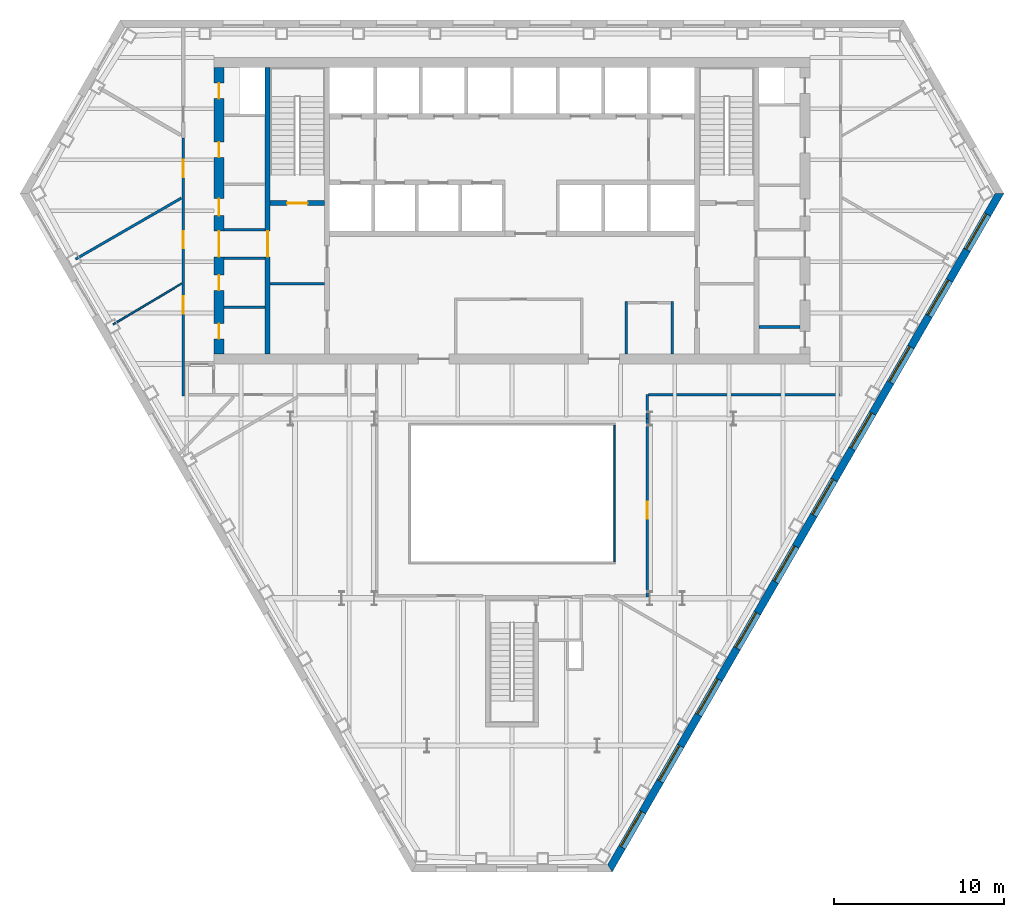
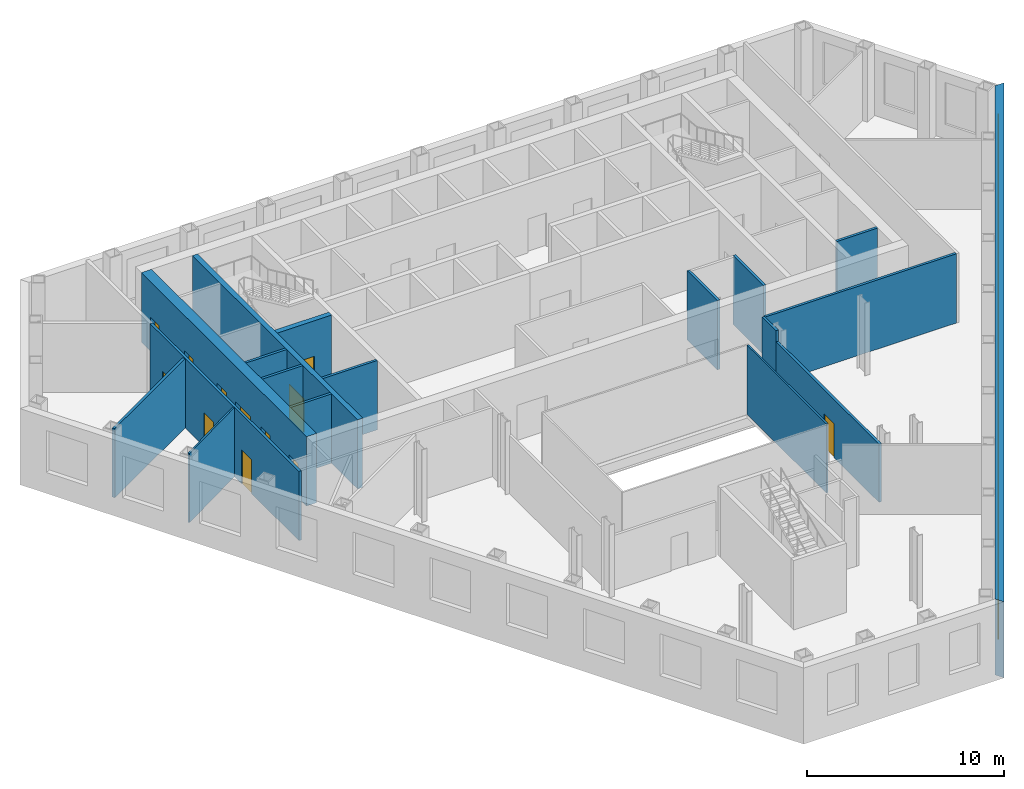
# One storey, part 5 of 11: 18 walls, 12 doors, 10 windows, 22 openings.
"""IFC4 building model written with IfcOpenShell, lengths in metres."""

from ifc_helpers import new_model, si_unit, direction, frame, frame_2d, origin, place, context, subcontext, project, spatial, polyline, rectangle, outline, extrude, material, layer, layer_set, type_object, element, fill, save


model = new_model("IFC4")

# Units and contexts
model_context = context("Model", 3, precision=1e-05, world=origin(), true_north=direction((0.0, 1.0)))
body_context = subcontext(model_context, "Body", "Model", "MODEL_VIEW")
ifc_project = project(units=[si_unit("LENGTHUNIT", "METRE"), si_unit("AREAUNIT", "SQUARE_METRE"), si_unit("VOLUMEUNIT", "CUBIC_METRE"), si_unit("PLANEANGLEUNIT", "RADIAN"), si_unit("MASSUNIT", "GRAM", prefix="KILO")], contexts=[model_context])

# Site, building, storey
site_placement = place(None, origin())
site = spatial("IfcSite", under=ifc_project, at=site_placement, CompositionType="ELEMENT")
building_placement = place(site_placement, origin())
building = spatial("IfcBuilding", under=site, at=building_placement, Name="Njiva Tower", CompositionType="ELEMENT")
storey_placement = place(building_placement, frame((0.0, 0.0, 42.3)))
storey = spatial("IfcBuildingStorey", under=building, at=storey_placement, Name="L08", CompositionType="ELEMENT", Elevation=42.3)

# Walls
ifc_material_1 = material(Name="Blockwork", Category="masonry")
ifc_layer_1 = layer(ifc_material_1, 0.15)
ifc_layer_set_1 = layer_set([ifc_layer_1], Name="Blockwork")
wall_type_1 = type_object("IfcWallType", Name="WT1 Compartment partition 150", PredefinedType="PARTITIONING", material=ifc_layer_set_1)
wall_1_placement = place(storey_placement, frame((-14.2, 4.725, 0.0), z_axis=(0.0, 0.0, 1.0), x_axis=(1.0, 0.0, 0.0)))
element("IfcWall", 1, at=wall_1_placement, inside=storey, type_object=wall_type_1, Name="Room wall A", PredefinedType="PARTITIONING", context=body_context, shape_type="SweptSolid", body=[
    extrude(rectangle(XDim=3.2, YDim=0.15, at=frame_2d((1.6, 0.0))), origin(), (0.0, 0.0, 1.0), 4.3),
])
for number, where, z_axis, x_axis, name in (
    (2, (-16.9, 3.3241, 0.0), (0.0, 0.0, 1.0), (1.0, 0.0, 0.0), "Partition strip W00"),
    (3, (14.5, 2.175, 0.0), (0.0, 0.0, 1.0), (1.0, 0.0, 0.0), "Partition strip E00"),
):
    element("IfcWall", number, at=place(storey_placement, frame(where, z_axis=z_axis, x_axis=x_axis)), inside=storey, type_object=wall_type_1, Name=name, PredefinedType="PARTITIONING", context=body_context, shape_type="SweptSolid", body=[
        extrude(rectangle(XDim=2.4, YDim=0.15, at=frame_2d((1.2, 0.0))), origin(), (0.0, 0.0, 1.0), 4.3),
    ])
for number, where, z_axis, x_axis, name in (
    (4, (6.7, 0.6, 0.0), (0.0, 0.0, 1.0), (0.0, 1.0, 0.0), "Tenant reception wall west"),
    (5, (9.4, 0.6, 0.0), (0.0, 0.0, 1.0), (0.0, 1.0, 0.0), "Tenant reception wall east"),
):
    element("IfcWall", number, at=place(storey_placement, frame(where, z_axis=z_axis, x_axis=x_axis)), inside=storey, type_object=wall_type_1, Name=name, PredefinedType="PARTITIONING", context=body_context, shape_type="SweptSolid", body=[
        extrude(rectangle(XDim=3.075, YDim=0.15, at=frame_2d((1.5375, 0.0))), origin(), (0.0, 0.0, 1.0), 4.3),
    ])

# Wall, opening, door
ifc_material_2 = material(Name="Concrete C40/50", Category="concrete")
ifc_layer_2 = layer(ifc_material_2, 0.3)
ifc_layer_set_2 = layer_set([ifc_layer_2], Name="Concrete C40/50")
wall_type_2 = type_object("IfcWallType", Name="WT10 Stair enclosure wall 300", PredefinedType="SHEAR", material=ifc_layer_set_2)
wall_2_placement = place(storey_placement, frame((-14.35, 0.6, 0.0), z_axis=(0.0, 0.0, 1.0), x_axis=(0.0, 1.0, 0.0)))
wall_2 = element("IfcWall", 6, at=wall_2_placement, inside=storey, type_object=wall_type_2, Name="Stair wall west outer", PredefinedType="SHEAR", context=body_context, shape_type="SweptSolid", body=[
    extrude(rectangle(XDim=16.8, YDim=0.3, at=frame_2d((8.4, 0.0))), origin(), (0.0, 0.0, 1.0), 4.3),
])
opening_1_placement = place(wall_2_placement, frame((5.7, 0.0, 0.0)))
opening_1 = element("IfcOpeningElement", 7, at=opening_1_placement, cuts=wall_2, Name="Opening S02-D920", PredefinedType="OPENING", context=body_context, shape_type="SweptSolid", body=[
    extrude(rectangle(XDim=1.5, YDim=2.1, at=frame_2d((0.75, 1.05))), frame((0.0, 0.16, 0.0), z_axis=(0.0, -1.0, 0.0), x_axis=(1.0, 0.0, 0.0)), (0.0, 0.0, 1.0), 0.32),
])
ifc_material_3 = material(Name="Glazed steel fire door", Category="steel")
door_type_1 = type_object("IfcDoorType", Name="D10 Exit door double 1500x2100 glazed", OperationType="DOUBLE_DOOR_SINGLE_SWING", PredefinedType="DOOR", material=ifc_material_3)
door_1_placement = place(opening_1_placement, origin())
door_1 = element("IfcDoor", 8, at=door_1_placement, inside=storey, type_object=door_type_1, Name="Stair A passage door", OperationType="DOUBLE_DOOR_SINGLE_SWING", OverallHeight=2.1, OverallWidth=1.5, PredefinedType="DOOR", context=body_context, shape_type="SweptSolid", body=[
    extrude(rectangle(XDim=1.5, YDim=2.1, at=frame_2d((0.75, 1.05))), frame((0.0, 0.025, 0.0), z_axis=(0.0, -1.0, 0.0), x_axis=(1.0, 0.0, 0.0)), (0.0, 0.0, 1.0), 0.05),
])
fill(opening_1, door_1)

wall_3_placement = place(storey_placement, frame((-14.2, 9.45, 0.0), z_axis=(0.0, 0.0, 1.0), x_axis=(1.0, 0.0, 0.0)))
wall_3 = element("IfcWall", 9, at=wall_3_placement, inside=storey, type_object=wall_type_2, Name="Stair A south wall", PredefinedType="SHEAR", context=body_context, shape_type="SweptSolid", body=[
    extrude(rectangle(XDim=3.2, YDim=0.3, at=frame_2d((1.6, 0.0))), origin(), (0.0, 0.0, 1.0), 4.3),
])
opening_2_placement = place(wall_3_placement, frame((1.0, 0.0, 0.0)))
opening_2 = element("IfcOpeningElement", 10, at=opening_2_placement, cuts=wall_3, Name="Opening S02-D913", PredefinedType="OPENING", context=body_context, shape_type="SweptSolid", body=[
    extrude(rectangle(XDim=1.2, YDim=2.1, at=frame_2d((0.6, 1.05))), frame((0.0, 0.16, 0.0), z_axis=(0.0, -1.0, 0.0), x_axis=(1.0, 0.0, 0.0)), (0.0, 0.0, 1.0), 0.32),
])
door_type_2 = type_object("IfcDoorType", Name="D7 Stair vestibule door 1200x2100 glazed", OperationType="SINGLE_SWING_LEFT", PredefinedType="DOOR", material=ifc_material_3)
door_2_placement = place(opening_2_placement, origin())
door_2 = element("IfcDoor", 11, at=door_2_placement, inside=storey, type_object=door_type_2, Name="Stair A door", OperationType="SINGLE_SWING_LEFT", OverallHeight=2.1, OverallWidth=1.2, PredefinedType="DOOR", context=body_context, shape_type="SweptSolid", body=[
    extrude(rectangle(XDim=1.2, YDim=2.1, at=frame_2d((0.6, 1.05))), frame((0.0, 0.025, 0.0), z_axis=(0.0, -1.0, 0.0), x_axis=(1.0, 0.0, 0.0)), (0.0, 0.0, 1.0), 0.05),
])
fill(opening_2, door_2)

# Wall, openings, doors
ifc_material_4 = material(Name="Concrete C60/75", Category="concrete")
ifc_layer_3 = layer(ifc_material_4, 0.6)
ifc_layer_set_3 = layer_set([ifc_layer_3], Name="Concrete C60/75")
wall_type_3 = type_object("IfcWallType", Name="WT15 Core wall 600", PredefinedType="SHEAR", material=ifc_layer_set_3)
wall_4_placement = place(storey_placement, frame((-17.2, 0.6, 0.0), z_axis=(0.0, 0.0, 1.0), x_axis=(0.0, 1.0, 0.0)))
wall_4 = element("IfcWall", 12, at=wall_4_placement, inside=storey, type_object=wall_type_3, Name="Core wall west", PredefinedType="SHEAR", context=body_context, shape_type="SweptSolid", body=[
    extrude(rectangle(XDim=16.8, YDim=0.6, at=frame_2d((8.4, 0.0))), origin(), (0.0, 0.0, 1.0), 4.3),
])
opening_3_placement = place(wall_4_placement, frame((5.7, 0.0, 0.0)))
opening_3 = element("IfcOpeningElement", 13, at=opening_3_placement, cuts=wall_4, Name="Opening S02-D921", PredefinedType="OPENING", context=body_context, shape_type="SweptSolid", body=[
    extrude(rectangle(XDim=1.5, YDim=2.1, at=frame_2d((0.75, 1.05))), frame((0.0, 0.31, 0.0), z_axis=(0.0, -1.0, 0.0), x_axis=(1.0, 0.0, 0.0)), (0.0, 0.0, 1.0), 0.62),
])
opening_4_placement = place(wall_4_placement, frame((0.8745, 0.0, 0.0)))
opening_4 = element("IfcOpeningElement", 14, at=opening_4_placement, cuts=wall_4, Name="Opening S02-D922", PredefinedType="OPENING", context=body_context, shape_type="SweptSolid", body=[
    extrude(rectangle(XDim=0.9, YDim=2.1, at=frame_2d((0.45, 1.05))), frame((0.0, 0.31, 0.0), z_axis=(0.0, -1.0, 0.0), x_axis=(1.0, 0.0, 0.0)), (0.0, 0.0, 1.0), 0.62),
])
opening_5_placement = place(wall_4_placement, frame((3.7245, 0.0, 0.0)))
opening_5 = element("IfcOpeningElement", 15, at=opening_5_placement, cuts=wall_4, Name="Opening S02-D923", PredefinedType="OPENING", context=body_context, shape_type="SweptSolid", body=[
    extrude(rectangle(XDim=0.9, YDim=2.1, at=frame_2d((0.45, 1.05))), frame((0.0, 0.31, 0.0), z_axis=(0.0, -1.0, 0.0), x_axis=(1.0, 0.0, 0.0)), (0.0, 0.0, 1.0), 0.62),
])
opening_6_placement = place(wall_4_placement, frame((8.1154, 0.0, 0.0)))
opening_6 = element("IfcOpeningElement", 16, at=opening_6_placement, cuts=wall_4, Name="Opening S02-D924", PredefinedType="OPENING", context=body_context, shape_type="SweptSolid", body=[
    extrude(rectangle(XDim=1.0, YDim=2.1, at=frame_2d((0.5, 1.05))), frame((0.0, 0.31, 0.0), z_axis=(0.0, -1.0, 0.0), x_axis=(1.0, 0.0, 0.0)), (0.0, 0.0, 1.0), 0.62),
])
opening_7_placement = place(wall_4_placement, frame((11.5277, 0.0, 0.0)))
opening_7 = element("IfcOpeningElement", 17, at=opening_7_placement, cuts=wall_4, Name="Opening S02-D925", PredefinedType="OPENING", context=body_context, shape_type="SweptSolid", body=[
    extrude(rectangle(XDim=0.9, YDim=2.1, at=frame_2d((0.45, 1.05))), frame((0.0, 0.31, 0.0), z_axis=(0.0, -1.0, 0.0), x_axis=(1.0, 0.0, 0.0)), (0.0, 0.0, 1.0), 0.62),
])
opening_8_placement = place(wall_4_placement, frame((14.9872, 0.0, 0.0)))
opening_8 = element("IfcOpeningElement", 18, at=opening_8_placement, cuts=wall_4, Name="Opening S02-D926", PredefinedType="OPENING", context=body_context, shape_type="SweptSolid", body=[
    extrude(rectangle(XDim=0.9, YDim=2.1, at=frame_2d((0.45, 1.05))), frame((0.0, 0.31, 0.0), z_axis=(0.0, -1.0, 0.0), x_axis=(1.0, 0.0, 0.0)), (0.0, 0.0, 1.0), 0.62),
])
door_3_placement = place(opening_3_placement, origin())
door_3 = element("IfcDoor", 19, at=door_3_placement, inside=storey, type_object=door_type_1, Name="Stair A corridor door", OperationType="DOUBLE_DOOR_SINGLE_SWING", OverallHeight=2.1, OverallWidth=1.5, PredefinedType="DOOR", context=body_context, shape_type="SweptSolid", body=[
    extrude(rectangle(XDim=1.5, YDim=2.1, at=frame_2d((0.75, 1.05))), frame((0.0, 0.025, 0.0), z_axis=(0.0, -1.0, 0.0), x_axis=(1.0, 0.0, 0.0)), (0.0, 0.0, 1.0), 0.05),
])
fill(opening_3, door_3)
ifc_material_5 = material(Name="Steel door, painted", Category="steel")
door_type_3 = type_object("IfcDoorType", Name="D4 Riser door 900x2100", OperationType="SINGLE_SWING_LEFT", PredefinedType="DOOR", material=ifc_material_5)
door_4_placement = place(opening_8_placement, origin())
door_4 = element("IfcDoor", 20, at=door_4_placement, inside=storey, type_object=door_type_3, Name="Riser door", OperationType="SINGLE_SWING_LEFT", OverallHeight=2.1, OverallWidth=0.9, PredefinedType="DOOR", context=body_context, shape_type="SweptSolid", body=[
    extrude(rectangle(XDim=0.9, YDim=2.1, at=frame_2d((0.45, 1.05))), frame((0.0, 0.025, 0.0), z_axis=(0.0, -1.0, 0.0), x_axis=(1.0, 0.0, 0.0)), (0.0, 0.0, 1.0), 0.05),
])
fill(opening_8, door_4)
door_type_4 = type_object("IfcDoorType", Name="D5 Steel door 1000x2100", OperationType="SINGLE_SWING_LEFT", PredefinedType="DOOR", material=ifc_material_5)
door_5_placement = place(opening_6_placement, origin())
door_5 = element("IfcDoor", 21, at=door_5_placement, inside=storey, type_object=door_type_4, Name="Telecoms room door", OperationType="SINGLE_SWING_RIGHT", OverallHeight=2.1, OverallWidth=1.0, PredefinedType="DOOR", context=body_context, shape_type="SweptSolid", body=[
    extrude(rectangle(XDim=1.0, YDim=2.1, at=frame_2d((0.5, 1.05))), frame((0.0, 0.025, 0.0), z_axis=(0.0, -1.0, 0.0), x_axis=(1.0, 0.0, 0.0)), (0.0, 0.0, 1.0), 0.05),
])
fill(opening_6, door_5)
ifc_material_6 = material(Name="Steel fire door, painted", Category="steel")
door_type_5 = type_object("IfcDoorType", Name="D6 Fire-rated door 900x2100", OperationType="SINGLE_SWING_LEFT", PredefinedType="DOOR", material=ifc_material_6)
door_6_placement = place(opening_4_placement, origin())
door_6 = element("IfcDoor", 22, at=door_6_placement, inside=storey, type_object=door_type_5, Name="Meeting room door", OperationType="SINGLE_SWING_LEFT", OverallHeight=2.1, OverallWidth=0.9, PredefinedType="DOOR", context=body_context, shape_type="SweptSolid", body=[
    extrude(rectangle(XDim=0.9, YDim=2.1, at=frame_2d((0.45, 1.05))), frame((0.0, 0.025, 0.0), z_axis=(0.0, -1.0, 0.0), x_axis=(1.0, 0.0, 0.0)), (0.0, 0.0, 1.0), 0.05),
])
fill(opening_4, door_6)
door_7_placement = place(opening_5_placement, origin())
door_7 = element("IfcDoor", 23, at=door_7_placement, inside=storey, type_object=door_type_5, Name="Breakout room door", OperationType="SINGLE_SWING_LEFT", OverallHeight=2.1, OverallWidth=0.9, PredefinedType="DOOR", context=body_context, shape_type="SweptSolid", body=[
    extrude(rectangle(XDim=0.9, YDim=2.1, at=frame_2d((0.45, 1.05))), frame((0.0, 0.025, 0.0), z_axis=(0.0, -1.0, 0.0), x_axis=(1.0, 0.0, 0.0)), (0.0, 0.0, 1.0), 0.05),
])
fill(opening_5, door_7)
door_8_placement = place(opening_7_placement, origin())
door_8 = element("IfcDoor", 24, at=door_8_placement, inside=storey, type_object=door_type_5, Name="Quiet room door", OperationType="SINGLE_SWING_RIGHT", OverallHeight=2.1, OverallWidth=0.9, PredefinedType="DOOR", context=body_context, shape_type="SweptSolid", body=[
    extrude(rectangle(XDim=0.9, YDim=2.1, at=frame_2d((0.45, 1.05))), frame((0.0, 0.025, 0.0), z_axis=(0.0, -1.0, 0.0), x_axis=(1.0, 0.0, 0.0)), (0.0, 0.0, 1.0), 0.05),
])
fill(opening_7, door_8)

# Walls
ifc_material_7 = material(Name="Gypsum board on steel studs", Category="gypsum")
ifc_layer_4 = layer(ifc_material_7, 0.1)
ifc_layer_set_4 = layer_set([ifc_layer_4], Name="Gypsum board on steel studs")
wall_type_4 = type_object("IfcWallType", Name="WT20 Gypsum partition 100", PredefinedType="PARTITIONING", material=ifc_layer_set_4)
wall_5_placement = place(storey_placement, frame((-23.41, 2.331, 0.0), z_axis=(0.0, 0.0, 1.0), x_axis=(0.858568146325, 0.512699461786, 0.0)))
element("IfcWall", 25, at=wall_5_placement, inside=storey, type_object=wall_type_4, Name="Partition S02-P003", PredefinedType="PARTITIONING", context=body_context, shape_type="SweptSolid", body=[
    extrude(rectangle(XDim=4.6694, YDim=0.1, at=frame_2d((2.3347, 0.0))), origin(), (0.0, 0.0, 1.0), 4.3),
])
ifc_layer_5 = layer(ifc_material_7, 0.15)
ifc_layer_set_5 = layer_set([ifc_layer_5], Name="Gypsum board on steel studs")
wall_type_5 = type_object("IfcWallType", Name="WT21 Compartment wall 150", PredefinedType="PARTITIONING", material=ifc_layer_set_5)
wall_6_placement = place(storey_placement, frame((-25.62, 6.161, 0.0), z_axis=(0.0, 0.0, 1.0), x_axis=(0.866036909293, 0.499980071345, 0.0)))
element("IfcWall", 26, at=wall_6_placement, inside=storey, type_object=wall_type_5, Name="Partition S02-P001", PredefinedType="PARTITIONING", context=body_context, shape_type="SweptSolid", body=[
    extrude(rectangle(XDim=7.1683, YDim=0.15, at=frame_2d((3.5842, 0.0))), origin(), (0.0, 0.0, 1.0), 4.3),
])

# Wall, openings, doors
wall_7_placement = place(storey_placement, frame((-19.3, -1.875, 0.0), z_axis=(0.0, 0.0, 1.0), x_axis=(0.0, 1.0, 0.0)))
wall_7 = element("IfcWall", 27, at=wall_7_placement, inside=storey, type_object=wall_type_5, Name="Partition S02-P005", PredefinedType="PARTITIONING", context=body_context, shape_type="SweptSolid", body=[
    extrude(rectangle(XDim=15.133, YDim=0.15, at=frame_2d((7.5665, 0.0))), origin(), (0.0, 0.0, 1.0), 4.3),
])
opening_9_placement = place(wall_7_placement, frame((4.842, 0.0, 0.0)))
opening_9 = element("IfcOpeningElement", 28, at=opening_9_placement, cuts=wall_7, Name="Opening S02-D001", PredefinedType="OPENING", context=body_context, shape_type="SweptSolid", body=[
    extrude(rectangle(XDim=1.0, YDim=2.1, at=frame_2d((0.5, 1.05))), frame((0.0, 0.085, 0.0), z_axis=(0.0, -1.0, 0.0), x_axis=(1.0, 0.0, 0.0)), (0.0, 0.0, 1.0), 0.17),
])
opening_10_placement = place(wall_7_placement, frame((8.671, 0.0, 0.0)))
opening_10 = element("IfcOpeningElement", 29, at=opening_10_placement, cuts=wall_7, Name="Opening S02-D002", PredefinedType="OPENING", context=body_context, shape_type="SweptSolid", body=[
    extrude(rectangle(XDim=1.0, YDim=2.1, at=frame_2d((0.5, 1.05))), frame((0.0, 0.085, 0.0), z_axis=(0.0, -1.0, 0.0), x_axis=(1.0, 0.0, 0.0)), (0.0, 0.0, 1.0), 0.17),
])
opening_11_placement = place(wall_7_placement, frame((12.857, 0.0, 0.0)))
opening_11 = element("IfcOpeningElement", 30, at=opening_11_placement, cuts=wall_7, Name="Opening S02-D003", PredefinedType="OPENING", context=body_context, shape_type="SweptSolid", body=[
    extrude(rectangle(XDim=1.0, YDim=2.1, at=frame_2d((0.5, 1.05))), frame((0.0, 0.085, 0.0), z_axis=(0.0, -1.0, 0.0), x_axis=(1.0, 0.0, 0.0)), (0.0, 0.0, 1.0), 0.17),
])
ifc_material_8 = material(Name="Steel fire door set", Category="steel")
door_type_6 = type_object("IfcDoorType", Name="D37 Fire door 1000x2100", OperationType="SINGLE_SWING_LEFT", PredefinedType="DOOR", material=ifc_material_8)
door_9_placement = place(opening_9_placement, origin())
door_9 = element("IfcDoor", 31, at=door_9_placement, inside=storey, type_object=door_type_6, Name="Door S02-D001", OperationType="SINGLE_SWING_RIGHT", OverallHeight=2.1, OverallWidth=1.0, PredefinedType="DOOR", context=body_context, shape_type="SweptSolid", body=[
    extrude(rectangle(XDim=1.0, YDim=2.1, at=frame_2d((0.5, 1.05))), frame((0.0, 0.025, 0.0), z_axis=(0.0, -1.0, 0.0), x_axis=(1.0, 0.0, 0.0)), (0.0, 0.0, 1.0), 0.05),
])
fill(opening_9, door_9)
door_10_placement = place(opening_10_placement, origin())
door_10 = element("IfcDoor", 32, at=door_10_placement, inside=storey, type_object=door_type_6, Name="Door S02-D002", OperationType="SINGLE_SWING_LEFT", OverallHeight=2.1, OverallWidth=1.0, PredefinedType="DOOR", context=body_context, shape_type="SweptSolid", body=[
    extrude(rectangle(XDim=1.0, YDim=2.1, at=frame_2d((0.5, 1.05))), frame((0.0, 0.025, 0.0), z_axis=(0.0, -1.0, 0.0), x_axis=(1.0, 0.0, 0.0)), (0.0, 0.0, 1.0), 0.05),
])
fill(opening_10, door_10)
door_11_placement = place(opening_11_placement, origin())
door_11 = element("IfcDoor", 33, at=door_11_placement, inside=storey, type_object=door_type_6, Name="Door S02-D003", OperationType="SINGLE_SWING_LEFT", OverallHeight=2.1, OverallWidth=1.0, PredefinedType="DOOR", context=body_context, shape_type="SweptSolid", body=[
    extrude(rectangle(XDim=1.0, YDim=2.1, at=frame_2d((0.5, 1.05))), frame((0.0, 0.025, 0.0), z_axis=(0.0, -1.0, 0.0), x_axis=(1.0, 0.0, 0.0)), (0.0, 0.0, 1.0), 0.05),
])
fill(opening_11, door_11)

# Wall, opening, door
wall_8_placement = place(storey_placement, frame((7.94, -13.675, 0.0), z_axis=(0.0, 0.0, 1.0), x_axis=(0.0, 1.0, 0.0)))
wall_8 = element("IfcWall", 34, at=wall_8_placement, inside=storey, type_object=wall_type_5, Name="Partition S02-P017", PredefinedType="PARTITIONING", context=body_context, shape_type="SweptSolid", body=[
    extrude(rectangle(XDim=10.475, YDim=0.15, at=frame_2d((5.2375, 0.0))), origin(), (0.0, 0.0, 1.0), 3.61),
])
opening_12_placement = place(wall_8_placement, frame((4.581, 0.0, 0.0)))
opening_12 = element("IfcOpeningElement", 35, at=opening_12_placement, cuts=wall_8, Name="Opening S02-D011", PredefinedType="OPENING", context=body_context, shape_type="SweptSolid", body=[
    extrude(rectangle(XDim=1.0, YDim=2.1, at=frame_2d((0.5, 1.05))), frame((0.0, 0.085, 0.0), z_axis=(0.0, -1.0, 0.0), x_axis=(1.0, 0.0, 0.0)), (0.0, 0.0, 1.0), 0.17),
])
door_12_placement = place(opening_12_placement, origin())
door_12 = element("IfcDoor", 36, at=door_12_placement, inside=storey, type_object=door_type_6, Name="Door S02-D011", OperationType="SINGLE_SWING_LEFT", OverallHeight=2.1, OverallWidth=1.0, PredefinedType="DOOR", context=body_context, shape_type="SweptSolid", body=[
    extrude(rectangle(XDim=1.0, YDim=2.1, at=frame_2d((0.5, 1.05))), frame((0.0, 0.025, 0.0), z_axis=(0.0, -1.0, 0.0), x_axis=(1.0, 0.0, 0.0)), (0.0, 0.0, 1.0), 0.05),
])
fill(opening_12, door_12)

# Walls
wall_9_placement = place(storey_placement, frame((7.94, -3.2, 0.0), z_axis=(0.0, 0.0, 1.0), x_axis=(0.0, 1.0, 0.0)))
element("IfcWall", 37, at=wall_9_placement, inside=storey, type_object=wall_type_5, Name="Partition S02-P017A", PredefinedType="PARTITIONING", context=body_context, shape_type="SweptSolid", body=[
    extrude(rectangle(XDim=1.411, YDim=0.15, at=frame_2d((0.7055, 0.0))), origin(), (0.0, 0.0, 1.0), 4.3),
])
wall_10_placement = place(storey_placement, frame((8.015, -1.8, 0.0), z_axis=(0.0, 0.0, 1.0), x_axis=(1.0, 0.0, 0.0)))
element("IfcWall", 38, at=wall_10_placement, inside=storey, type_object=wall_type_5, Name="Partition S02-P018", PredefinedType="PARTITIONING", context=body_context, shape_type="SweptSolid", body=[
    extrude(rectangle(XDim=11.21, YDim=0.15, at=frame_2d((5.605, 0.0))), origin(), (0.0, 0.0, 1.0), 4.3),
])
ifc_layer_6 = layer(ifc_material_1, 0.15)
ifc_layer_set_6 = layer_set([ifc_layer_6], Name="Blockwork")
wall_type_6 = type_object("IfcWallType", Name="WT4 Stair partition 150", PredefinedType="PARTITIONING", material=ifc_layer_set_6)
for number, where, z_axis, x_axis, name in (
    (39, (-16.9, 6.225, 0.0), (0.0, 0.0, 1.0), (1.0, 0.0, 0.0), "Stair A exit passage wall south"),
    (40, (-16.9, 7.875, 0.0), (0.0, 0.0, 1.0), (1.0, 0.0, 0.0), "Stair A exit passage wall north"),
):
    element("IfcWall", number, at=place(storey_placement, frame(where, z_axis=z_axis, x_axis=x_axis)), inside=storey, type_object=wall_type_6, Name=name, PredefinedType="PARTITIONING", context=body_context, shape_type="SweptSolid", body=[
        extrude(rectangle(XDim=2.4, YDim=0.15, at=frame_2d((1.2, 0.0))), origin(), (0.0, 0.0, 1.0), 4.3),
    ])

# Wall, openings, windows
ifc_material_9 = material(Name="Brick masonry", Category="masonry")
ifc_layer_7 = layer(ifc_material_9, 0.45)
ifc_layer_set_7 = layer_set([ifc_layer_7], Name="Brick masonry")
wall_type_7 = type_object("IfcWallType", Name="WT90 Brick pier and spandrel wall 450", PredefinedType="SOLIDWALL", material=ifc_layer_set_7)
wall_11_placement = place(storey_placement, frame((5.7501, -29.6053, -0.4), z_axis=(0.0, 0.0, 1.0), x_axis=(0.500000335318, 0.866025210188, 0.0)))
wall_11 = element("IfcWall", 41, at=wall_11_placement, inside=storey, type_object=wall_type_7, Name="Facade wall SE", PredefinedType="SOLIDWALL", context=body_context, shape_type="SweptSolid", body=[
    extrude(outline(polyline([(-0.1299, -0.225), (45.8801, -0.225), (45.6203, 0.225), (0.1299, 0.225), (-0.1299, -0.225)])), origin(), (0.0, 0.0, 1.0), 4.72),
])
opening_13_placement = place(wall_11_placement, frame((1.4247, 0.0, 1.3)))
opening_13 = element("IfcOpeningElement", 42, at=opening_13_placement, cuts=wall_11, Name="Opening S02-W25", PredefinedType="OPENING", context=body_context, shape_type="SweptSolid", body=[
    extrude(rectangle(XDim=2.4, YDim=2.6, at=frame_2d((1.2, 1.3))), frame((0.0, 0.235, 0.0), z_axis=(0.0, -1.0, 0.0), x_axis=(1.0, 0.0, 0.0)), (0.0, 0.0, 1.0), 0.47),
])
opening_14_placement = place(wall_11_placement, frame((5.8949, 0.0, 1.3)))
opening_14 = element("IfcOpeningElement", 43, at=opening_14_placement, cuts=wall_11, Name="Opening S02-W26", PredefinedType="OPENING", context=body_context, shape_type="SweptSolid", body=[
    extrude(rectangle(XDim=2.4, YDim=2.6, at=frame_2d((1.2, 1.3))), frame((0.0, 0.235, 0.0), z_axis=(0.0, -1.0, 0.0), x_axis=(1.0, 0.0, 0.0)), (0.0, 0.0, 1.0), 0.47),
])
opening_15_placement = place(wall_11_placement, frame((10.4035, 0.0, 1.3)))
opening_15 = element("IfcOpeningElement", 44, at=opening_15_placement, cuts=wall_11, Name="Opening S02-W27", PredefinedType="OPENING", context=body_context, shape_type="SweptSolid", body=[
    extrude(rectangle(XDim=2.4, YDim=2.6, at=frame_2d((1.2, 1.3))), frame((0.0, 0.235, 0.0), z_axis=(0.0, -1.0, 0.0), x_axis=(1.0, 0.0, 0.0)), (0.0, 0.0, 1.0), 0.47),
])
opening_16_placement = place(wall_11_placement, frame((14.9122, 0.0, 1.3)))
opening_16 = element("IfcOpeningElement", 45, at=opening_16_placement, cuts=wall_11, Name="Opening S02-W28", PredefinedType="OPENING", context=body_context, shape_type="SweptSolid", body=[
    extrude(rectangle(XDim=2.4, YDim=2.6, at=frame_2d((1.2, 1.3))), frame((0.0, 0.235, 0.0), z_axis=(0.0, -1.0, 0.0), x_axis=(1.0, 0.0, 0.0)), (0.0, 0.0, 1.0), 0.47),
])
opening_17_placement = place(wall_11_placement, frame((19.4208, 0.0, 1.3)))
opening_17 = element("IfcOpeningElement", 46, at=opening_17_placement, cuts=wall_11, Name="Opening S02-W29", PredefinedType="OPENING", context=body_context, shape_type="SweptSolid", body=[
    extrude(rectangle(XDim=2.4, YDim=2.6, at=frame_2d((1.2, 1.3))), frame((0.0, 0.235, 0.0), z_axis=(0.0, -1.0, 0.0), x_axis=(1.0, 0.0, 0.0)), (0.0, 0.0, 1.0), 0.47),
])
opening_18_placement = place(wall_11_placement, frame((23.9294, 0.0, 1.3)))
opening_18 = element("IfcOpeningElement", 47, at=opening_18_placement, cuts=wall_11, Name="Opening S02-W30", PredefinedType="OPENING", context=body_context, shape_type="SweptSolid", body=[
    extrude(rectangle(XDim=2.4, YDim=2.6, at=frame_2d((1.2, 1.3))), frame((0.0, 0.235, 0.0), z_axis=(0.0, -1.0, 0.0), x_axis=(1.0, 0.0, 0.0)), (0.0, 0.0, 1.0), 0.47),
])
opening_19_placement = place(wall_11_placement, frame((28.438, 0.0, 1.3)))
opening_19 = element("IfcOpeningElement", 48, at=opening_19_placement, cuts=wall_11, Name="Opening S02-W31", PredefinedType="OPENING", context=body_context, shape_type="SweptSolid", body=[
    extrude(rectangle(XDim=2.4, YDim=2.6, at=frame_2d((1.2, 1.3))), frame((0.0, 0.235, 0.0), z_axis=(0.0, -1.0, 0.0), x_axis=(1.0, 0.0, 0.0)), (0.0, 0.0, 1.0), 0.47),
])
opening_20_placement = place(wall_11_placement, frame((32.9466, 0.0, 1.3)))
opening_20 = element("IfcOpeningElement", 49, at=opening_20_placement, cuts=wall_11, Name="Opening S02-W32", PredefinedType="OPENING", context=body_context, shape_type="SweptSolid", body=[
    extrude(rectangle(XDim=2.4, YDim=2.6, at=frame_2d((1.2, 1.3))), frame((0.0, 0.235, 0.0), z_axis=(0.0, -1.0, 0.0), x_axis=(1.0, 0.0, 0.0)), (0.0, 0.0, 1.0), 0.47),
])
opening_21_placement = place(wall_11_placement, frame((37.4553, 0.0, 1.3)))
opening_21 = element("IfcOpeningElement", 50, at=opening_21_placement, cuts=wall_11, Name="Opening S02-W33", PredefinedType="OPENING", context=body_context, shape_type="SweptSolid", body=[
    extrude(rectangle(XDim=2.4, YDim=2.6, at=frame_2d((1.2, 1.3))), frame((0.0, 0.235, 0.0), z_axis=(0.0, -1.0, 0.0), x_axis=(1.0, 0.0, 0.0)), (0.0, 0.0, 1.0), 0.47),
])
opening_22_placement = place(wall_11_placement, frame((41.9255, 0.0, 1.3)))
opening_22 = element("IfcOpeningElement", 51, at=opening_22_placement, cuts=wall_11, Name="Opening S02-W34", PredefinedType="OPENING", context=body_context, shape_type="SweptSolid", body=[
    extrude(rectangle(XDim=2.4, YDim=2.6, at=frame_2d((1.2, 1.3))), frame((0.0, 0.235, 0.0), z_axis=(0.0, -1.0, 0.0), x_axis=(1.0, 0.0, 0.0)), (0.0, 0.0, 1.0), 0.47),
])
ifc_material_10 = material(Name="Clear glazing in aluminium frame", Category="aluminium")
window_type = type_object("IfcWindowType", Name="W92 Deep-set window 2400x2600", PartitioningType="SINGLE_PANEL", PredefinedType="WINDOW", material=ifc_material_10)
window_1_placement = place(opening_13_placement, origin())
window_1 = element("IfcWindow", 52, at=window_1_placement, inside=storey, type_object=window_type, Name="Window", OverallHeight=2.6, OverallWidth=2.4, PartitioningType="SINGLE_PANEL", PredefinedType="WINDOW", context=body_context, shape_type="SweptSolid", body=[
    extrude(rectangle(XDim=2.4, YDim=2.6, at=frame_2d((1.2, 1.3))), frame((0.0, 0.105, 0.0), z_axis=(0.0, -1.0, 0.0), x_axis=(1.0, 0.0, 0.0)), (0.0, 0.0, 1.0), 0.06),
])
fill(opening_13, window_1)
window_2_placement = place(opening_14_placement, origin())
window_2 = element("IfcWindow", 53, at=window_2_placement, inside=storey, type_object=window_type, Name="Window", OverallHeight=2.6, OverallWidth=2.4, PartitioningType="SINGLE_PANEL", PredefinedType="WINDOW", context=body_context, shape_type="SweptSolid", body=[
    extrude(rectangle(XDim=2.4, YDim=2.6, at=frame_2d((1.2, 1.3))), frame((0.0, 0.105, 0.0), z_axis=(0.0, -1.0, 0.0), x_axis=(1.0, 0.0, 0.0)), (0.0, 0.0, 1.0), 0.06),
])
fill(opening_14, window_2)
window_3_placement = place(opening_15_placement, origin())
window_3 = element("IfcWindow", 54, at=window_3_placement, inside=storey, type_object=window_type, Name="Window", OverallHeight=2.6, OverallWidth=2.4, PartitioningType="SINGLE_PANEL", PredefinedType="WINDOW", context=body_context, shape_type="SweptSolid", body=[
    extrude(rectangle(XDim=2.4, YDim=2.6, at=frame_2d((1.2, 1.3))), frame((0.0, 0.105, 0.0), z_axis=(0.0, -1.0, 0.0), x_axis=(1.0, 0.0, 0.0)), (0.0, 0.0, 1.0), 0.06),
])
fill(opening_15, window_3)
window_4_placement = place(opening_16_placement, origin())
window_4 = element("IfcWindow", 55, at=window_4_placement, inside=storey, type_object=window_type, Name="Window", OverallHeight=2.6, OverallWidth=2.4, PartitioningType="SINGLE_PANEL", PredefinedType="WINDOW", context=body_context, shape_type="SweptSolid", body=[
    extrude(rectangle(XDim=2.4, YDim=2.6, at=frame_2d((1.2, 1.3))), frame((0.0, 0.105, 0.0), z_axis=(0.0, -1.0, 0.0), x_axis=(1.0, 0.0, 0.0)), (0.0, 0.0, 1.0), 0.06),
])
fill(opening_16, window_4)
window_5_placement = place(opening_17_placement, origin())
window_5 = element("IfcWindow", 56, at=window_5_placement, inside=storey, type_object=window_type, Name="Window", OverallHeight=2.6, OverallWidth=2.4, PartitioningType="SINGLE_PANEL", PredefinedType="WINDOW", context=body_context, shape_type="SweptSolid", body=[
    extrude(rectangle(XDim=2.4, YDim=2.6, at=frame_2d((1.2, 1.3))), frame((0.0, 0.105, 0.0), z_axis=(0.0, -1.0, 0.0), x_axis=(1.0, 0.0, 0.0)), (0.0, 0.0, 1.0), 0.06),
])
fill(opening_17, window_5)
window_6_placement = place(opening_18_placement, origin())
window_6 = element("IfcWindow", 57, at=window_6_placement, inside=storey, type_object=window_type, Name="Window", OverallHeight=2.6, OverallWidth=2.4, PartitioningType="SINGLE_PANEL", PredefinedType="WINDOW", context=body_context, shape_type="SweptSolid", body=[
    extrude(rectangle(XDim=2.4, YDim=2.6, at=frame_2d((1.2, 1.3))), frame((0.0, 0.105, 0.0), z_axis=(0.0, -1.0, 0.0), x_axis=(1.0, 0.0, 0.0)), (0.0, 0.0, 1.0), 0.06),
])
fill(opening_18, window_6)
window_7_placement = place(opening_19_placement, origin())
window_7 = element("IfcWindow", 58, at=window_7_placement, inside=storey, type_object=window_type, Name="Window", OverallHeight=2.6, OverallWidth=2.4, PartitioningType="SINGLE_PANEL", PredefinedType="WINDOW", context=body_context, shape_type="SweptSolid", body=[
    extrude(rectangle(XDim=2.4, YDim=2.6, at=frame_2d((1.2, 1.3))), frame((0.0, 0.105, 0.0), z_axis=(0.0, -1.0, 0.0), x_axis=(1.0, 0.0, 0.0)), (0.0, 0.0, 1.0), 0.06),
])
fill(opening_19, window_7)
window_8_placement = place(opening_20_placement, origin())
window_8 = element("IfcWindow", 59, at=window_8_placement, inside=storey, type_object=window_type, Name="Window", OverallHeight=2.6, OverallWidth=2.4, PartitioningType="SINGLE_PANEL", PredefinedType="WINDOW", context=body_context, shape_type="SweptSolid", body=[
    extrude(rectangle(XDim=2.4, YDim=2.6, at=frame_2d((1.2, 1.3))), frame((0.0, 0.105, 0.0), z_axis=(0.0, -1.0, 0.0), x_axis=(1.0, 0.0, 0.0)), (0.0, 0.0, 1.0), 0.06),
])
fill(opening_20, window_8)
window_9_placement = place(opening_21_placement, origin())
window_9 = element("IfcWindow", 60, at=window_9_placement, inside=storey, type_object=window_type, Name="Window", OverallHeight=2.6, OverallWidth=2.4, PartitioningType="SINGLE_PANEL", PredefinedType="WINDOW", context=body_context, shape_type="SweptSolid", body=[
    extrude(rectangle(XDim=2.4, YDim=2.6, at=frame_2d((1.2, 1.3))), frame((0.0, 0.105, 0.0), z_axis=(0.0, -1.0, 0.0), x_axis=(1.0, 0.0, 0.0)), (0.0, 0.0, 1.0), 0.06),
])
fill(opening_21, window_9)
window_10_placement = place(opening_22_placement, origin())
window_10 = element("IfcWindow", 61, at=window_10_placement, inside=storey, type_object=window_type, Name="Window", OverallHeight=2.6, OverallWidth=2.4, PartitioningType="SINGLE_PANEL", PredefinedType="WINDOW", context=body_context, shape_type="SweptSolid", body=[
    extrude(rectangle(XDim=2.4, YDim=2.6, at=frame_2d((1.2, 1.3))), frame((0.0, 0.105, 0.0), z_axis=(0.0, -1.0, 0.0), x_axis=(1.0, 0.0, 0.0)), (0.0, 0.0, 1.0), 0.06),
])
fill(opening_22, window_10)

# Wall
ifc_material_11 = material(Name="Fire-resisting glazing EI 90", Category="glass")
ifc_layer_8 = layer(ifc_material_11, 0.1)
ifc_layer_set_8 = layer_set([ifc_layer_8], Name="Fire-resisting glazing EI 90")
wall_type_8 = type_object("IfcWallType", Name="WT95 Fire-resisting glazed screen EI 90", PredefinedType="PARTITIONING", material=ifc_layer_set_8)
wall_12_placement = place(storey_placement, frame((6.01, -11.62, 0.0), z_axis=(0.0, 0.0, 1.0), x_axis=(0.0, 1.0, 0.0)))
element("IfcWall", 62, at=wall_12_placement, inside=storey, type_object=wall_type_8, Name="Atrium fire screen east", PredefinedType="PARTITIONING", context=body_context, shape_type="SweptSolid", body=[
    extrude(rectangle(XDim=8.04, YDim=0.1, at=frame_2d((4.02, 0.0))), origin(), (0.0, 0.0, 1.0), 4.3),
])

save(model, "model.ifc")
